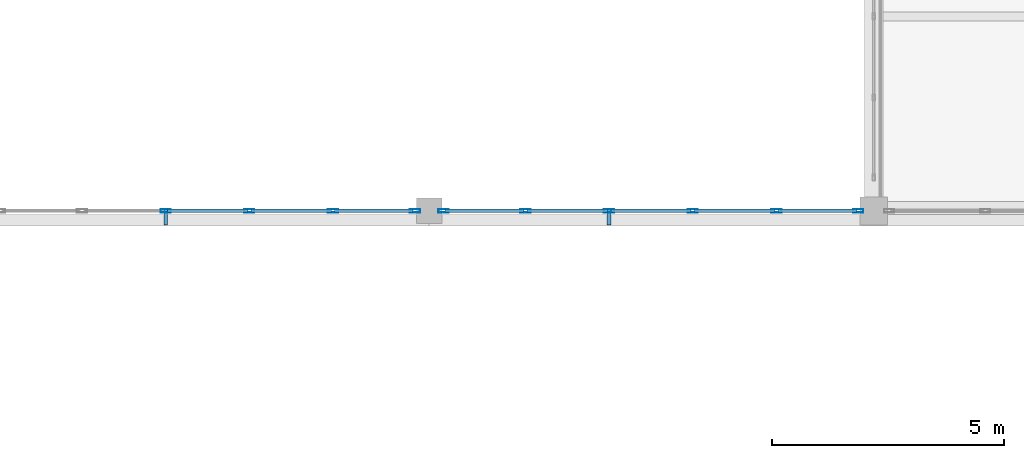
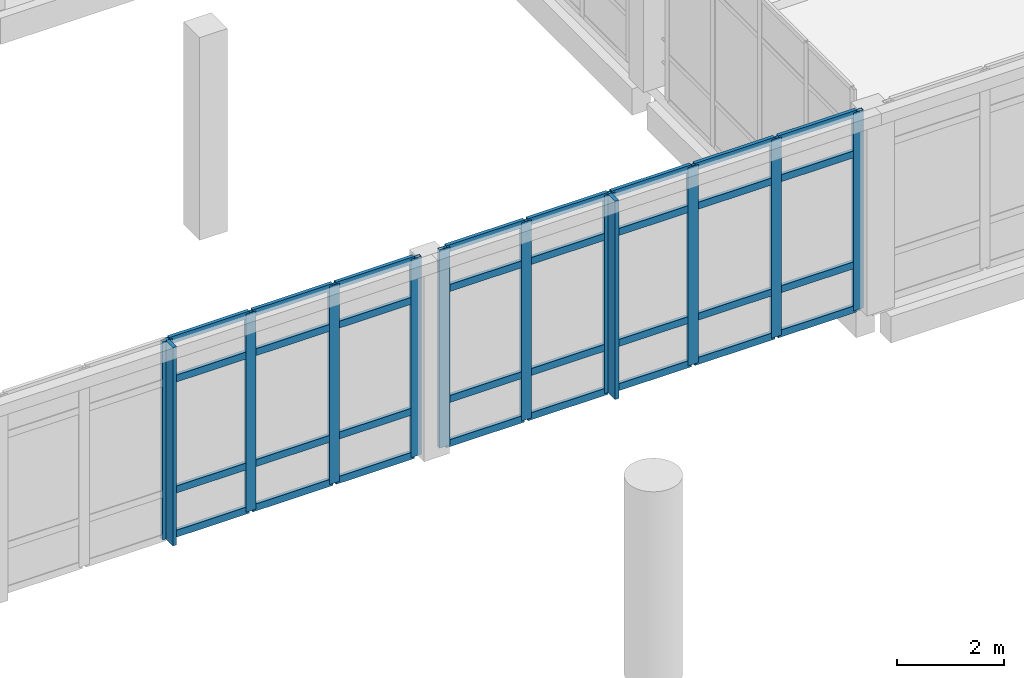
# One storey, part 27 of 88: 44 members, 2 elements without a shape of their own.
"""IFC4 building model written with IfcOpenShell, lengths in metres."""

import ifcopenshell
import ifcopenshell.guid

model = None  # the IFC model being written
_history = None  # IfcOwnerHistory: only IFC2X3 demands one
_inside = {}  # id of a spatial element -> (the spatial element, [elements in it])
_under = {}  # id of a project, library or spatial element -> (it, [spatial elements below it])
_declared = {}  # id of a project -> (the project, [libraries it declares])
_typed = {}  # id of a type object -> (the type object, [elements of that type])
_made_of = {}  # id of a material, layer set ... -> (it, [elements and type objects made of it])


def new_model(schema):
    """Start an empty IFC model of exactly this schema.

    Asked for "IFC4X3", IfcOpenShell would pick the latest addendum, in which some entities
    have other attributes; the version numbers below select the first issue.
    IFC2X3 requires an IfcOwnerHistory on every rooted entity: one is made here for all.
    """
    global model, _history
    if schema == "IFC4X3":
        model = ifcopenshell.file(schema_version=(4, 3, 0, 0))
    else:
        model = ifcopenshell.file(schema=schema)
    _inside.clear()
    _under.clear()
    _declared.clear()
    _typed.clear()
    _made_of.clear()
    _history = None
    if model.schema == "IFC2X3":
        org = make("IfcOrganization", Name="unknown")
        user = make(
            "IfcPersonAndOrganization",
            ThePerson=make("IfcPerson", FamilyName="unknown"),
            TheOrganization=org,
        )
        app = make(
            "IfcApplication",
            ApplicationDeveloper=org,
            Version="unknown",
            ApplicationFullName="unknown",
            ApplicationIdentifier="unknown",
        )
        _history = make(
            "IfcOwnerHistory",
            OwningUser=user,
            OwningApplication=app,
            ChangeAction="ADDED",
            CreationDate=0,
        )
    return model


def make(cls, **values):
    """One entity of the class cls with the attributes given. An attribute that is None is left unset."""
    return model.create_entity(
        cls, **{name: value for name, value in values.items() if value is not None}
    )


def rooted(cls, **values):
    """An entity with a GlobalId (a new one), such as an element, a storey or a relation."""
    return make(cls, GlobalId=ifcopenshell.guid.new(), OwnerHistory=_history, **values)


def si_unit(unit_type, name, prefix=None):
    """IfcSIUnit, for example si_unit("LENGTHUNIT", "METRE", prefix="MILLI")."""
    return make("IfcSIUnit", UnitType=unit_type, Prefix=prefix, Name=name)


def assignment(units):
    """IfcUnitAssignment: the units of a project."""
    return None if units is None else make("IfcUnitAssignment", Units=units)


def point(xyz):
    """IfcCartesianPoint."""
    return None if xyz is None else make("IfcCartesianPoint", Coordinates=xyz)


def direction(xyz):
    """IfcDirection."""
    return None if xyz is None else make("IfcDirection", DirectionRatios=xyz)


def frame(location, z_axis=None, x_axis=None):
    """IfcAxis2Placement3D, a coordinate frame: its origin and axes. An axis left out is left unset."""
    return make(
        "IfcAxis2Placement3D",
        Location=point(location),
        Axis=direction(z_axis),
        RefDirection=direction(x_axis),
    )


def frame_2d(location, x_axis=None):
    """IfcAxis2Placement2D, a coordinate frame in the plane: its origin and x axis."""
    return make(
        "IfcAxis2Placement2D", Location=point(location), RefDirection=direction(x_axis)
    )


def origin():
    """The frame at (0, 0, 0) with its axes left unset."""
    return frame((0.0, 0.0, 0.0))


def origin_2d():
    """The frame at (0, 0) in the plane with its x axis left unset."""
    return frame_2d((0.0, 0.0))


def place(relative_to, where):
    """IfcLocalPlacement: puts the frame where relative to a parent placement (None: the world)."""
    return make(
        "IfcLocalPlacement", PlacementRelTo=relative_to, RelativePlacement=where
    )


def context(
    kind, dimensions, precision=None, world=None, true_north=None, identifier=None
):
    """IfcGeometricRepresentationContext, for example the 3D "Model" context."""
    return make(
        "IfcGeometricRepresentationContext",
        ContextIdentifier=identifier,
        ContextType=kind,
        CoordinateSpaceDimension=dimensions,
        Precision=precision,
        WorldCoordinateSystem=world,
        TrueNorth=true_north,
    )


def subcontext(parent, identifier, kind, view, scale=None):
    """IfcGeometricRepresentationSubContext, for example "Body" below "Model"."""
    return make(
        "IfcGeometricRepresentationSubContext",
        ContextIdentifier=identifier,
        ContextType=kind,
        ParentContext=parent,
        TargetScale=scale,
        TargetView=view,
    )


def project(units=None, contexts=None):
    """IfcProject with its units and contexts."""
    return rooted(
        "IfcProject",
        Name="project",
        RepresentationContexts=contexts,
        UnitsInContext=assignment(units),
    )


def spatial(cls, under=None, at=None, **own):
    """A site, building, storey or space (cls), placed at a placement, below another one or the project."""
    s = rooted(cls, ObjectPlacement=at, **own)
    if under is not None:
        _under.setdefault(under.id(), (under, []))[1].append(s)
    return s


def profile(cls, at=None, kind="AREA", **sizes):
    """A parametric profile (cls). Its sizes go by their IFC names, for example OverallWidth=200.0."""
    return make(cls, ProfileType=kind, Position=at, **sizes)


def rectangle(**sizes):
    """IfcRectangleProfileDef."""
    return profile("IfcRectangleProfileDef", **sizes)


def hollow_rectangle(**sizes):
    """IfcRectangleHollowProfileDef."""
    return profile("IfcRectangleHollowProfileDef", **sizes)


def extrude(swept, where, along, depth):
    """IfcExtrudedAreaSolid: the profile swept, set in the frame where, extruded along a direction by depth."""
    return make(
        "IfcExtrudedAreaSolid",
        SweptArea=swept,
        Position=where,
        ExtrudedDirection=direction(along),
        Depth=depth,
    )


def shape(context_of_items, identifier, shape_type, items):
    """IfcShapeRepresentation: the items that make up one representation, for example the "Body"."""
    return make(
        "IfcShapeRepresentation",
        ContextOfItems=context_of_items,
        RepresentationIdentifier=identifier,
        RepresentationType=shape_type,
        Items=items,
    )


def material(Name=None, Category=None):
    """IfcMaterial."""
    return make("IfcMaterial", Name=Name, Category=Category)


def layer(
    of_material, thickness, ventilated=None, Name=None, Category=None, Priority=None
):
    """IfcMaterialLayer: one layer of a wall or slab, of a material (None: an air gap)."""
    return make(
        "IfcMaterialLayer",
        Material=of_material,
        LayerThickness=thickness,
        IsVentilated=ventilated,
        Name=Name,
        Category=Category,
        Priority=Priority,
    )


def layer_set(layers, Name=None):
    """IfcMaterialLayerSet."""
    return make("IfcMaterialLayerSet", MaterialLayers=layers, LayerSetName=Name)


def material_profile(
    of_material, cross_section, Name=None, Category=None, Priority=None
):
    """IfcMaterialProfile: a cross section and its material."""
    return make(
        "IfcMaterialProfile",
        Name=Name,
        Material=of_material,
        Profile=cross_section,
        Priority=Priority,
        Category=Category,
    )


def profile_set(profiles, Name=None, composite=None):
    """IfcMaterialProfileSet."""
    return make(
        "IfcMaterialProfileSet",
        Name=Name,
        MaterialProfiles=profiles,
        CompositeProfile=composite,
    )


def made_of(thing, what):
    """Note that an element or type object is made of a material, layer set ...; save() writes the relation."""
    if what is not None:
        _made_of.setdefault(what.id(), (what, []))[1].append(thing)
    return thing


def type_object(cls, material=None, **own):
    """A type object (cls), such as IfcWallType, which elements share."""
    return made_of(rooted(cls, **own), material)


def element(
    cls,
    number,
    at=None,
    inside=None,
    cuts=None,
    type_object=None,
    material=None,
    context=None,
    identifier="Body",
    shape_type=None,
    held_by="IfcProductDefinitionShape",
    body=None,
    shapes=None,
    **own,
):
    """One element of the class cls, such as IfcWall. Its Tag is "e" and its number.

    at: its placement. inside: the storey or other place that contains it. cuts: it is an
    opening in that element (IfcRelVoidsElement). A single representation is given by context,
    identifier, shape_type and body (its items); several are given by shapes. held_by: the class
    of the entity that holds the representations. save() writes the other relations.
    """
    e = rooted(cls, Tag="e%d" % number, ObjectPlacement=at, **own)
    if body is not None:
        shapes = [shape(context, identifier, shape_type, body)]
    if shapes is not None:
        e.Representation = make(held_by, Representations=shapes)
    if inside is not None:
        _inside.setdefault(inside.id(), (inside, []))[1].append(e)
    if cuts is not None:
        rooted(
            "IfcRelVoidsElement", RelatingBuildingElement=cuts, RelatedOpeningElement=e
        )
    if type_object is not None:
        _typed.setdefault(type_object.id(), (type_object, []))[1].append(e)
    return made_of(e, material)


def aggregate(whole, parts):
    """IfcRelAggregates: a whole, such as a stair, and the parts it consists of."""
    return rooted("IfcRelAggregates", RelatingObject=whole, RelatedObjects=parts)


def save(model, path):
    """Write the relations noted so far, then the file.

    IfcRelAggregates (storeys below a building ...), IfcRelContainedInSpatialStructure (elements
    in a storey), IfcRelDefinesByType, IfcRelAssociatesMaterial and IfcRelDeclares: one each for
    every whole, place, type object, material and project.
    """
    for whole, parts in _under.values():
        aggregate(whole, parts)
    for where, things in _inside.values():
        rooted(
            "IfcRelContainedInSpatialStructure",
            RelatedElements=things,
            RelatingStructure=where,
        )
    for kind, things in _typed.values():
        rooted("IfcRelDefinesByType", RelatedObjects=things, RelatingType=kind)
    for what, things in _made_of.values():
        rooted("IfcRelAssociatesMaterial", RelatedObjects=things, RelatingMaterial=what)
    for by, libraries in _declared.values():
        rooted("IfcRelDeclares", RelatingContext=by, RelatedDefinitions=libraries)
    model.write(path)


model = new_model("IFC4")

# Units and contexts
model_context = context("Model", 3, precision=1e-05, world=origin(), true_north=direction((0.0, 1.0)))
body_context = subcontext(model_context, "Body", "Model", "MODEL_VIEW")
ifc_project = project(units=[si_unit("LENGTHUNIT", "METRE"), si_unit("AREAUNIT", "SQUARE_METRE"), si_unit("VOLUMEUNIT", "CUBIC_METRE"), si_unit("PLANEANGLEUNIT", "RADIAN"), si_unit("MASSUNIT", "GRAM", prefix="KILO")], contexts=[model_context])

# Site, building, storey
site_placement = place(None, origin())
site = spatial("IfcSite", under=ifc_project, at=site_placement, CompositionType="ELEMENT")
building_placement = place(site_placement, origin())
building = spatial("IfcBuilding", under=site, at=building_placement, Name="Lornevale Opera House", CompositionType="ELEMENT")
storey_placement = place(building_placement, frame((0.0, 0.0, 10.199951171875)))
storey = spatial("IfcBuildingStorey", under=building, at=storey_placement, Name="L03", CompositionType="ELEMENT", Elevation=10.199951171875)

# Curtain wall, members
ifc_material_1 = material(Name="Anodized Oxide-Green Aluminium Framing", Category="aluminium")
ifc_layer = layer(ifc_material_1, 0.219970703125)
ifc_layer_set = layer_set([ifc_layer], Name="Anodized Oxide-Green Aluminium Framing")
curtain_wall_type = type_object("IfcCurtainWallType", Name="Winter-Garden Curtain Wall M1900", PredefinedType="NOTDEFINED", material=ifc_layer_set)
curtain_wall_1_placement = place(storey_placement, origin())
curtain_wall_1 = element("IfcCurtainWall", 1, at=curtain_wall_1_placement, inside=storey, type_object=curtain_wall_type, Name="Winter-Garden Curtain Wall M1900 CW-137", PredefinedType="NOTDEFINED")
ifc_material_profile_1 = material_profile(ifc_material_1, hollow_rectangle(XDim=0.074951171875, YDim=0.219970703125, WallThickness=0.0048828125, at=origin_2d()), Name="ALU75x220x5")
ifc_profile_set_1 = profile_set([ifc_material_profile_1], Name="Anodized Oxide-Green Aluminium Framing")
member_type_1 = type_object("IfcMemberType", Name="Curtain Wall Mullion 75x220", PredefinedType="MULLION", material=ifc_profile_set_1)
member_1_placement = place(storey_placement, frame((86.091552734375, 16.800048828125, 0.0), z_axis=(0.0, 0.0, 1.0), x_axis=(0.0, -1.0, 0.0)))
member_1 = element("IfcMember", 2, at=member_1_placement, type_object=member_type_1, Name="Curtain Wall Mullion 75x220 CW2833", PredefinedType="MULLION", context=body_context, shape_type="SweptSolid", body=[
    extrude(hollow_rectangle(XDim=0.074951171875, YDim=0.219970703125, WallThickness=0.0048828125, at=origin_2d()), origin(), (0.0, 0.0, 1.0), 4.5400390625),
])
member_2_placement = place(storey_placement, frame((84.322509765625, 16.800048828125, 0.0), z_axis=(0.0, 0.0, 1.0), x_axis=(0.0, -1.0, 0.0)))
member_2 = element("IfcMember", 3, at=member_2_placement, type_object=member_type_1, Name="Curtain Wall Mullion 75x220 CW2834", PredefinedType="MULLION", context=body_context, shape_type="SweptSolid", body=[
    extrude(hollow_rectangle(XDim=0.074951171875, YDim=0.219970703125, WallThickness=0.0048828125, at=origin_2d()), origin(), (0.0, 0.0, 1.0), 4.5400390625),
])
member_3_placement = place(storey_placement, frame((82.515869140625, 16.800048828125, 0.0), z_axis=(0.0, 0.0, 1.0), x_axis=(0.0, -1.0, 0.0)))
member_3 = element("IfcMember", 4, at=member_3_placement, type_object=member_type_1, Name="Curtain Wall Mullion 75x220 CW2835", PredefinedType="MULLION", context=body_context, shape_type="SweptSolid", body=[
    extrude(hollow_rectangle(XDim=0.074951171875, YDim=0.219970703125, WallThickness=0.0048828125, at=origin_2d()), origin(), (0.0, 0.0, 1.0), 4.5400390625),
])
member_4_placement = place(storey_placement, frame((80.709228515625, 16.800048828125, 0.0), z_axis=(0.0, 0.0, 1.0), x_axis=(0.0, -1.0, 0.0)))
member_4 = element("IfcMember", 5, at=member_4_placement, type_object=member_type_1, Name="Curtain Wall Mullion 75x220 CW2836", PredefinedType="MULLION", context=body_context, shape_type="SweptSolid", body=[
    extrude(hollow_rectangle(XDim=0.074951171875, YDim=0.219970703125, WallThickness=0.0048828125, at=origin_2d()), origin(), (0.0, 0.0, 1.0), 4.5400390625),
])

curtain_wall_2_placement = place(storey_placement, origin())
curtain_wall_2 = element("IfcCurtainWall", 6, at=curtain_wall_2_placement, inside=storey, type_object=curtain_wall_type, Name="Winter-Garden Curtain Wall M1900 CW-138", PredefinedType="NOTDEFINED")
member_5_placement = place(storey_placement, frame((95.66650390625, 16.800048828125, 0.0), z_axis=(0.0, 0.0, 1.0), x_axis=(0.0, -1.0, 0.0)))
member_5 = element("IfcMember", 7, at=member_5_placement, type_object=member_type_1, Name="Curtain Wall Mullion 75x220 CW2874", PredefinedType="MULLION", context=body_context, shape_type="SweptSolid", body=[
    extrude(hollow_rectangle(XDim=0.074951171875, YDim=0.219970703125, WallThickness=0.0048828125, at=origin_2d()), origin(), (0.0, 0.0, 1.0), 4.5400390625),
])
member_6_placement = place(storey_placement, frame((93.8974609375, 16.800048828125, 0.0), z_axis=(0.0, 0.0, 1.0), x_axis=(0.0, -1.0, 0.0)))
member_6 = element("IfcMember", 8, at=member_6_placement, type_object=member_type_1, Name="Curtain Wall Mullion 75x220 CW2875", PredefinedType="MULLION", context=body_context, shape_type="SweptSolid", body=[
    extrude(hollow_rectangle(XDim=0.074951171875, YDim=0.219970703125, WallThickness=0.0048828125, at=origin_2d()), origin(), (0.0, 0.0, 1.0), 4.5400390625),
])
member_7_placement = place(storey_placement, frame((92.0908203125, 16.800048828125, 0.0), z_axis=(0.0, 0.0, 1.0), x_axis=(0.0, -1.0, 0.0)))
member_7 = element("IfcMember", 9, at=member_7_placement, type_object=member_type_1, Name="Curtain Wall Mullion 75x220 CW2876", PredefinedType="MULLION", context=body_context, shape_type="SweptSolid", body=[
    extrude(hollow_rectangle(XDim=0.074951171875, YDim=0.219970703125, WallThickness=0.0048828125, at=origin_2d()), origin(), (0.0, 0.0, 1.0), 4.5400390625),
])
member_8_placement = place(storey_placement, frame((90.2841796875, 16.800048828125, 0.0), z_axis=(0.0, 0.0, 1.0), x_axis=(0.0, -1.0, 0.0)))
member_8 = element("IfcMember", 10, at=member_8_placement, type_object=member_type_1, Name="Curtain Wall Mullion 75x220 CW2877", PredefinedType="MULLION", context=body_context, shape_type="SweptSolid", body=[
    extrude(hollow_rectangle(XDim=0.074951171875, YDim=0.219970703125, WallThickness=0.0048828125, at=origin_2d()), origin(), (0.0, 0.0, 1.0), 4.5400390625),
])
member_9_placement = place(storey_placement, frame((88.4775390625, 16.800048828125, 0.0), z_axis=(0.0, 0.0, 1.0), x_axis=(0.0, -1.0, 0.0)))
member_9 = element("IfcMember", 11, at=member_9_placement, type_object=member_type_1, Name="Curtain Wall Mullion 75x220 CW2878", PredefinedType="MULLION", context=body_context, shape_type="SweptSolid", body=[
    extrude(hollow_rectangle(XDim=0.074951171875, YDim=0.219970703125, WallThickness=0.0048828125, at=origin_2d()), origin(), (0.0, 0.0, 1.0), 4.5400390625),
])
member_10_placement = place(storey_placement, frame((86.70849609375, 16.800048828125, 0.0), z_axis=(0.0, 0.0, 1.0), x_axis=(0.0, -1.0, 0.0)))
member_10 = element("IfcMember", 12, at=member_10_placement, type_object=member_type_1, Name="Curtain Wall Mullion 75x220 CW2879", PredefinedType="MULLION", context=body_context, shape_type="SweptSolid", body=[
    extrude(hollow_rectangle(XDim=0.074951171875, YDim=0.219970703125, WallThickness=0.0048828125, at=origin_2d()), origin(), (0.0, 0.0, 1.0), 4.5400390625),
])

# Member
ifc_material_profile_2 = material_profile(ifc_material_1, hollow_rectangle(XDim=0.074951171875, YDim=0.159912109375, WallThickness=0.0048828125, at=origin_2d()), Name="ALU75x160x5")
ifc_profile_set_2 = profile_set([ifc_material_profile_2], Name="Anodized Oxide-Green Aluminium Framing")
member_type_2 = type_object("IfcMemberType", Name="Curtain Wall Transom 75x160", PredefinedType="USERDEFINED", material=ifc_profile_set_2)
member_11_placement = place(storey_placement, frame((86.053955078125, 16.800048828125, 0.03759765625), z_axis=(-1.0, 0.0, 0.0), x_axis=(0.0, -1.0, 0.0)))
member_11 = element("IfcMember", 13, at=member_11_placement, type_object=member_type_2, Name="Curtain Wall Transom 75x160 CW2839", ObjectType="TRANSOM", PredefinedType="USERDEFINED", context=body_context, shape_type="SweptSolid", body=[
    extrude(hollow_rectangle(XDim=0.074951171875, YDim=0.159912109375, WallThickness=0.0048828125, at=origin_2d()), origin(), (0.0, 0.0, 1.0), 1.694091796875),
])

member_12_placement = place(storey_placement, frame((86.053955078125, 16.800048828125, 1.050048828125), z_axis=(-1.0, 0.0, 0.0), x_axis=(0.0, -1.0, 0.0)))
member_12 = element("IfcMember", 14, at=member_12_placement, type_object=member_type_2, Name="Curtain Wall Transom 75x160 CW2840", ObjectType="TRANSOM", PredefinedType="USERDEFINED", context=body_context, shape_type="SweptSolid", body=[
    extrude(hollow_rectangle(XDim=0.074951171875, YDim=0.159912109375, WallThickness=0.0048828125, at=origin_2d()), origin(), (0.0, 0.0, 1.0), 1.694091796875),
])

member_13_placement = place(storey_placement, frame((86.053955078125, 16.800048828125, 3.590087890625), z_axis=(-1.0, 0.0, 0.0), x_axis=(0.0, -1.0, 0.0)))
member_13 = element("IfcMember", 15, at=member_13_placement, type_object=member_type_2, Name="Curtain Wall Transom 75x160 CW2841", ObjectType="TRANSOM", PredefinedType="USERDEFINED", context=body_context, shape_type="SweptSolid", body=[
    extrude(hollow_rectangle(XDim=0.074951171875, YDim=0.159912109375, WallThickness=0.0048828125, at=origin_2d()), origin(), (0.0, 0.0, 1.0), 1.694091796875),
])

member_14_placement = place(storey_placement, frame((86.053955078125, 16.800048828125, 4.50244140625), z_axis=(-1.0, 0.0, 0.0), x_axis=(0.0, -1.0, 0.0)))
member_14 = element("IfcMember", 16, at=member_14_placement, type_object=member_type_2, Name="Curtain Wall Transom 75x160 CW2842", ObjectType="TRANSOM", PredefinedType="USERDEFINED", context=body_context, shape_type="SweptSolid", body=[
    extrude(hollow_rectangle(XDim=0.074951171875, YDim=0.159912109375, WallThickness=0.0048828125, at=origin_2d()), origin(), (0.0, 0.0, 1.0), 1.694091796875),
])

member_15_placement = place(storey_placement, frame((84.284912109375, 16.800048828125, 0.03759765625), z_axis=(-1.0, 0.0, 0.0), x_axis=(0.0, -1.0, 0.0)))
member_15 = element("IfcMember", 17, at=member_15_placement, type_object=member_type_2, Name="Curtain Wall Transom 75x160 CW2846", ObjectType="TRANSOM", PredefinedType="USERDEFINED", context=body_context, shape_type="SweptSolid", body=[
    extrude(hollow_rectangle(XDim=0.074951171875, YDim=0.159912109375, WallThickness=0.0048828125, at=origin_2d()), origin(), (0.0, 0.0, 1.0), 1.731689453125),
])

member_16_placement = place(storey_placement, frame((84.284912109375, 16.800048828125, 1.050048828125), z_axis=(-1.0, 0.0, 0.0), x_axis=(0.0, -1.0, 0.0)))
member_16 = element("IfcMember", 18, at=member_16_placement, type_object=member_type_2, Name="Curtain Wall Transom 75x160 CW2847", ObjectType="TRANSOM", PredefinedType="USERDEFINED", context=body_context, shape_type="SweptSolid", body=[
    extrude(hollow_rectangle(XDim=0.074951171875, YDim=0.159912109375, WallThickness=0.0048828125, at=origin_2d()), origin(), (0.0, 0.0, 1.0), 1.731689453125),
])

member_17_placement = place(storey_placement, frame((84.284912109375, 16.800048828125, 3.590087890625), z_axis=(-1.0, 0.0, 0.0), x_axis=(0.0, -1.0, 0.0)))
member_17 = element("IfcMember", 19, at=member_17_placement, type_object=member_type_2, Name="Curtain Wall Transom 75x160 CW2848", ObjectType="TRANSOM", PredefinedType="USERDEFINED", context=body_context, shape_type="SweptSolid", body=[
    extrude(hollow_rectangle(XDim=0.074951171875, YDim=0.159912109375, WallThickness=0.0048828125, at=origin_2d()), origin(), (0.0, 0.0, 1.0), 1.731689453125),
])

member_18_placement = place(storey_placement, frame((84.284912109375, 16.800048828125, 4.50244140625), z_axis=(-1.0, 0.0, 0.0), x_axis=(0.0, -1.0, 0.0)))
member_18 = element("IfcMember", 20, at=member_18_placement, type_object=member_type_2, Name="Curtain Wall Transom 75x160 CW2849", ObjectType="TRANSOM", PredefinedType="USERDEFINED", context=body_context, shape_type="SweptSolid", body=[
    extrude(hollow_rectangle(XDim=0.074951171875, YDim=0.159912109375, WallThickness=0.0048828125, at=origin_2d()), origin(), (0.0, 0.0, 1.0), 1.731689453125),
])

member_19_placement = place(storey_placement, frame((82.478271484375, 16.800048828125, 0.03759765625), z_axis=(-1.0, 0.0, 0.0), x_axis=(0.0, -1.0, 0.0)))
member_19 = element("IfcMember", 21, at=member_19_placement, type_object=member_type_2, Name="Curtain Wall Transom 75x160 CW2853", ObjectType="TRANSOM", PredefinedType="USERDEFINED", context=body_context, shape_type="SweptSolid", body=[
    extrude(hollow_rectangle(XDim=0.074951171875, YDim=0.159912109375, WallThickness=0.0048828125, at=origin_2d()), origin(), (0.0, 0.0, 1.0), 1.731689453125),
])

member_20_placement = place(storey_placement, frame((82.478271484375, 16.800048828125, 1.050048828125), z_axis=(-1.0, 0.0, 0.0), x_axis=(0.0, -1.0, 0.0)))
member_20 = element("IfcMember", 22, at=member_20_placement, type_object=member_type_2, Name="Curtain Wall Transom 75x160 CW2854", ObjectType="TRANSOM", PredefinedType="USERDEFINED", context=body_context, shape_type="SweptSolid", body=[
    extrude(hollow_rectangle(XDim=0.074951171875, YDim=0.159912109375, WallThickness=0.0048828125, at=origin_2d()), origin(), (0.0, 0.0, 1.0), 1.731689453125),
])

member_21_placement = place(storey_placement, frame((82.478271484375, 16.800048828125, 3.590087890625), z_axis=(-1.0, 0.0, 0.0), x_axis=(0.0, -1.0, 0.0)))
member_21 = element("IfcMember", 23, at=member_21_placement, type_object=member_type_2, Name="Curtain Wall Transom 75x160 CW2855", ObjectType="TRANSOM", PredefinedType="USERDEFINED", context=body_context, shape_type="SweptSolid", body=[
    extrude(hollow_rectangle(XDim=0.074951171875, YDim=0.159912109375, WallThickness=0.0048828125, at=origin_2d()), origin(), (0.0, 0.0, 1.0), 1.731689453125),
])

member_22_placement = place(storey_placement, frame((82.478271484375, 16.800048828125, 4.50244140625), z_axis=(-1.0, 0.0, 0.0), x_axis=(0.0, -1.0, 0.0)))
member_22 = element("IfcMember", 24, at=member_22_placement, type_object=member_type_2, Name="Curtain Wall Transom 75x160 CW2856", ObjectType="TRANSOM", PredefinedType="USERDEFINED", context=body_context, shape_type="SweptSolid", body=[
    extrude(hollow_rectangle(XDim=0.074951171875, YDim=0.159912109375, WallThickness=0.0048828125, at=origin_2d()), origin(), (0.0, 0.0, 1.0), 1.731689453125),
])

member_23_placement = place(storey_placement, frame((95.62890625, 16.800048828125, 0.03759765625), z_axis=(-1.0, 0.0, 0.0), x_axis=(0.0, -1.0, 0.0)))
member_23 = element("IfcMember", 25, at=member_23_placement, type_object=member_type_2, Name="Curtain Wall Transom 75x160 CW2880", ObjectType="TRANSOM", PredefinedType="USERDEFINED", context=body_context, shape_type="SweptSolid", body=[
    extrude(hollow_rectangle(XDim=0.074951171875, YDim=0.159912109375, WallThickness=0.0048828125, at=origin_2d()), origin(), (0.0, 0.0, 1.0), 1.694091796875),
])

member_24_placement = place(storey_placement, frame((95.62890625, 16.800048828125, 1.050048828125), z_axis=(-1.0, 0.0, 0.0), x_axis=(0.0, -1.0, 0.0)))
member_24 = element("IfcMember", 26, at=member_24_placement, type_object=member_type_2, Name="Curtain Wall Transom 75x160 CW2881", ObjectType="TRANSOM", PredefinedType="USERDEFINED", context=body_context, shape_type="SweptSolid", body=[
    extrude(hollow_rectangle(XDim=0.074951171875, YDim=0.159912109375, WallThickness=0.0048828125, at=origin_2d()), origin(), (0.0, 0.0, 1.0), 1.694091796875),
])

member_25_placement = place(storey_placement, frame((95.62890625, 16.800048828125, 3.590087890625), z_axis=(-1.0, 0.0, 0.0), x_axis=(0.0, -1.0, 0.0)))
member_25 = element("IfcMember", 27, at=member_25_placement, type_object=member_type_2, Name="Curtain Wall Transom 75x160 CW2882", ObjectType="TRANSOM", PredefinedType="USERDEFINED", context=body_context, shape_type="SweptSolid", body=[
    extrude(hollow_rectangle(XDim=0.074951171875, YDim=0.159912109375, WallThickness=0.0048828125, at=origin_2d()), origin(), (0.0, 0.0, 1.0), 1.694091796875),
])

member_26_placement = place(storey_placement, frame((95.62890625, 16.800048828125, 4.50244140625), z_axis=(-1.0, 0.0, 0.0), x_axis=(0.0, -1.0, 0.0)))
member_26 = element("IfcMember", 28, at=member_26_placement, type_object=member_type_2, Name="Curtain Wall Transom 75x160 CW2883", ObjectType="TRANSOM", PredefinedType="USERDEFINED", context=body_context, shape_type="SweptSolid", body=[
    extrude(hollow_rectangle(XDim=0.074951171875, YDim=0.159912109375, WallThickness=0.0048828125, at=origin_2d()), origin(), (0.0, 0.0, 1.0), 1.694091796875),
])

member_27_placement = place(storey_placement, frame((93.85986328125, 16.800048828125, 0.03759765625), z_axis=(-1.0, 0.0, 0.0), x_axis=(0.0, -1.0, 0.0)))
member_27 = element("IfcMember", 29, at=member_27_placement, type_object=member_type_2, Name="Curtain Wall Transom 75x160 CW2887", ObjectType="TRANSOM", PredefinedType="USERDEFINED", context=body_context, shape_type="SweptSolid", body=[
    extrude(hollow_rectangle(XDim=0.074951171875, YDim=0.159912109375, WallThickness=0.0048828125, at=origin_2d()), origin(), (0.0, 0.0, 1.0), 1.7314453125),
])

member_28_placement = place(storey_placement, frame((93.85986328125, 16.800048828125, 1.050048828125), z_axis=(-1.0, 0.0, 0.0), x_axis=(0.0, -1.0, 0.0)))
member_28 = element("IfcMember", 30, at=member_28_placement, type_object=member_type_2, Name="Curtain Wall Transom 75x160 CW2888", ObjectType="TRANSOM", PredefinedType="USERDEFINED", context=body_context, shape_type="SweptSolid", body=[
    extrude(hollow_rectangle(XDim=0.074951171875, YDim=0.159912109375, WallThickness=0.0048828125, at=origin_2d()), origin(), (0.0, 0.0, 1.0), 1.7314453125),
])

member_29_placement = place(storey_placement, frame((93.85986328125, 16.800048828125, 3.590087890625), z_axis=(-1.0, 0.0, 0.0), x_axis=(0.0, -1.0, 0.0)))
member_29 = element("IfcMember", 31, at=member_29_placement, type_object=member_type_2, Name="Curtain Wall Transom 75x160 CW2889", ObjectType="TRANSOM", PredefinedType="USERDEFINED", context=body_context, shape_type="SweptSolid", body=[
    extrude(hollow_rectangle(XDim=0.074951171875, YDim=0.159912109375, WallThickness=0.0048828125, at=origin_2d()), origin(), (0.0, 0.0, 1.0), 1.7314453125),
])

member_30_placement = place(storey_placement, frame((93.85986328125, 16.800048828125, 4.50244140625), z_axis=(-1.0, 0.0, 0.0), x_axis=(0.0, -1.0, 0.0)))
member_30 = element("IfcMember", 32, at=member_30_placement, type_object=member_type_2, Name="Curtain Wall Transom 75x160 CW2890", ObjectType="TRANSOM", PredefinedType="USERDEFINED", context=body_context, shape_type="SweptSolid", body=[
    extrude(hollow_rectangle(XDim=0.074951171875, YDim=0.159912109375, WallThickness=0.0048828125, at=origin_2d()), origin(), (0.0, 0.0, 1.0), 1.7314453125),
])

member_31_placement = place(storey_placement, frame((92.05322265625, 16.800048828125, 0.03759765625), z_axis=(-1.0, 0.0, 0.0), x_axis=(0.0, -1.0, 0.0)))
member_31 = element("IfcMember", 33, at=member_31_placement, type_object=member_type_2, Name="Curtain Wall Transom 75x160 CW2894", ObjectType="TRANSOM", PredefinedType="USERDEFINED", context=body_context, shape_type="SweptSolid", body=[
    extrude(hollow_rectangle(XDim=0.074951171875, YDim=0.159912109375, WallThickness=0.0048828125, at=origin_2d()), origin(), (0.0, 0.0, 1.0), 1.7314453125),
])

member_32_placement = place(storey_placement, frame((92.05322265625, 16.800048828125, 1.050048828125), z_axis=(-1.0, 0.0, 0.0), x_axis=(0.0, -1.0, 0.0)))
member_32 = element("IfcMember", 34, at=member_32_placement, type_object=member_type_2, Name="Curtain Wall Transom 75x160 CW2895", ObjectType="TRANSOM", PredefinedType="USERDEFINED", context=body_context, shape_type="SweptSolid", body=[
    extrude(hollow_rectangle(XDim=0.074951171875, YDim=0.159912109375, WallThickness=0.0048828125, at=origin_2d()), origin(), (0.0, 0.0, 1.0), 1.7314453125),
])

member_33_placement = place(storey_placement, frame((92.05322265625, 16.800048828125, 3.590087890625), z_axis=(-1.0, 0.0, 0.0), x_axis=(0.0, -1.0, 0.0)))
member_33 = element("IfcMember", 35, at=member_33_placement, type_object=member_type_2, Name="Curtain Wall Transom 75x160 CW2896", ObjectType="TRANSOM", PredefinedType="USERDEFINED", context=body_context, shape_type="SweptSolid", body=[
    extrude(hollow_rectangle(XDim=0.074951171875, YDim=0.159912109375, WallThickness=0.0048828125, at=origin_2d()), origin(), (0.0, 0.0, 1.0), 1.7314453125),
])

member_34_placement = place(storey_placement, frame((92.05322265625, 16.800048828125, 4.50244140625), z_axis=(-1.0, 0.0, 0.0), x_axis=(0.0, -1.0, 0.0)))
member_34 = element("IfcMember", 36, at=member_34_placement, type_object=member_type_2, Name="Curtain Wall Transom 75x160 CW2897", ObjectType="TRANSOM", PredefinedType="USERDEFINED", context=body_context, shape_type="SweptSolid", body=[
    extrude(hollow_rectangle(XDim=0.074951171875, YDim=0.159912109375, WallThickness=0.0048828125, at=origin_2d()), origin(), (0.0, 0.0, 1.0), 1.7314453125),
])

member_35_placement = place(storey_placement, frame((90.24658203125, 16.800048828125, 0.03759765625), z_axis=(-1.0, 0.0, 0.0), x_axis=(0.0, -1.0, 0.0)))
member_35 = element("IfcMember", 37, at=member_35_placement, type_object=member_type_2, Name="Curtain Wall Transom 75x160 CW2901", ObjectType="TRANSOM", PredefinedType="USERDEFINED", context=body_context, shape_type="SweptSolid", body=[
    extrude(hollow_rectangle(XDim=0.074951171875, YDim=0.159912109375, WallThickness=0.0048828125, at=origin_2d()), origin(), (0.0, 0.0, 1.0), 1.7314453125),
])

member_36_placement = place(storey_placement, frame((90.24658203125, 16.800048828125, 1.050048828125), z_axis=(-1.0, 0.0, 0.0), x_axis=(0.0, -1.0, 0.0)))
member_36 = element("IfcMember", 38, at=member_36_placement, type_object=member_type_2, Name="Curtain Wall Transom 75x160 CW2902", ObjectType="TRANSOM", PredefinedType="USERDEFINED", context=body_context, shape_type="SweptSolid", body=[
    extrude(hollow_rectangle(XDim=0.074951171875, YDim=0.159912109375, WallThickness=0.0048828125, at=origin_2d()), origin(), (0.0, 0.0, 1.0), 1.7314453125),
])

member_37_placement = place(storey_placement, frame((90.24658203125, 16.800048828125, 3.590087890625), z_axis=(-1.0, 0.0, 0.0), x_axis=(0.0, -1.0, 0.0)))
member_37 = element("IfcMember", 39, at=member_37_placement, type_object=member_type_2, Name="Curtain Wall Transom 75x160 CW2903", ObjectType="TRANSOM", PredefinedType="USERDEFINED", context=body_context, shape_type="SweptSolid", body=[
    extrude(hollow_rectangle(XDim=0.074951171875, YDim=0.159912109375, WallThickness=0.0048828125, at=origin_2d()), origin(), (0.0, 0.0, 1.0), 1.7314453125),
])

member_38_placement = place(storey_placement, frame((90.24658203125, 16.800048828125, 4.50244140625), z_axis=(-1.0, 0.0, 0.0), x_axis=(0.0, -1.0, 0.0)))
member_38 = element("IfcMember", 40, at=member_38_placement, type_object=member_type_2, Name="Curtain Wall Transom 75x160 CW2904", ObjectType="TRANSOM", PredefinedType="USERDEFINED", context=body_context, shape_type="SweptSolid", body=[
    extrude(hollow_rectangle(XDim=0.074951171875, YDim=0.159912109375, WallThickness=0.0048828125, at=origin_2d()), origin(), (0.0, 0.0, 1.0), 1.7314453125),
])

member_39_placement = place(storey_placement, frame((88.440185546875, 16.800048828125, 0.03759765625), z_axis=(-1.0, 0.0, 0.0), x_axis=(0.0, -1.0, 0.0)))
member_39 = element("IfcMember", 41, at=member_39_placement, type_object=member_type_2, Name="Curtain Wall Transom 75x160 CW2908", ObjectType="TRANSOM", PredefinedType="USERDEFINED", context=body_context, shape_type="SweptSolid", body=[
    extrude(hollow_rectangle(XDim=0.074951171875, YDim=0.159912109375, WallThickness=0.0048828125, at=origin_2d()), origin(), (0.0, 0.0, 1.0), 1.694091796875),
])

member_40_placement = place(storey_placement, frame((88.440185546875, 16.800048828125, 1.050048828125), z_axis=(-1.0, 0.0, 0.0), x_axis=(0.0, -1.0, 0.0)))
member_40 = element("IfcMember", 42, at=member_40_placement, type_object=member_type_2, Name="Curtain Wall Transom 75x160 CW2909", ObjectType="TRANSOM", PredefinedType="USERDEFINED", context=body_context, shape_type="SweptSolid", body=[
    extrude(hollow_rectangle(XDim=0.074951171875, YDim=0.159912109375, WallThickness=0.0048828125, at=origin_2d()), origin(), (0.0, 0.0, 1.0), 1.694091796875),
])

member_41_placement = place(storey_placement, frame((88.440185546875, 16.800048828125, 3.590087890625), z_axis=(-1.0, 0.0, 0.0), x_axis=(0.0, -1.0, 0.0)))
member_41 = element("IfcMember", 43, at=member_41_placement, type_object=member_type_2, Name="Curtain Wall Transom 75x160 CW2910", ObjectType="TRANSOM", PredefinedType="USERDEFINED", context=body_context, shape_type="SweptSolid", body=[
    extrude(hollow_rectangle(XDim=0.074951171875, YDim=0.159912109375, WallThickness=0.0048828125, at=origin_2d()), origin(), (0.0, 0.0, 1.0), 1.694091796875),
])

member_42_placement = place(storey_placement, frame((88.440185546875, 16.800048828125, 4.50244140625), z_axis=(-1.0, 0.0, 0.0), x_axis=(0.0, -1.0, 0.0)))
member_42 = element("IfcMember", 44, at=member_42_placement, type_object=member_type_2, Name="Curtain Wall Transom 75x160 CW2911", ObjectType="TRANSOM", PredefinedType="USERDEFINED", context=body_context, shape_type="SweptSolid", body=[
    extrude(hollow_rectangle(XDim=0.074951171875, YDim=0.159912109375, WallThickness=0.0048828125, at=origin_2d()), origin(), (0.0, 0.0, 1.0), 1.694091796875),
])

ifc_material_2 = material(Name="Architectural Bronze Solar Louvre Alloy", Category="metal")
ifc_material_profile_3 = material_profile(ifc_material_2, rectangle(XDim=0.080078125, YDim=0.360107421875, at=origin_2d()), Name="FIN80x360")
ifc_profile_set_3 = profile_set([ifc_material_profile_3], Name="Architectural Bronze Solar Louvre Alloy")
member_type_3 = type_object("IfcMemberType", Name="Solar Shading Fin 80x360", PredefinedType="USERDEFINED", material=ifc_profile_set_3)
member_43_placement = place(storey_placement, frame((80.709228515625, 16.674072265625, 0.0), z_axis=(0.0, 0.0, 1.0), x_axis=(-1.0, 0.0, 0.0)))
member_43 = element("IfcMember", 45, at=member_43_placement, type_object=member_type_3, Name="Solar Shading Fin 80x360 FIN0056", ObjectType="SOLAR FIN", PredefinedType="USERDEFINED", context=body_context, shape_type="SweptSolid", body=[
    extrude(rectangle(XDim=0.080078125, YDim=0.360107421875, at=origin_2d()), origin(), (0.0, 0.0, 1.0), 4.5400390625),
])

aggregate(curtain_wall_1, [member_1, member_2, member_3, member_4, member_11, member_12, member_13, member_14, member_15, member_16, member_17, member_18, member_19, member_20, member_21, member_22, member_43])

member_44_placement = place(storey_placement, frame((90.2841796875, 16.674072265625, 0.0), z_axis=(0.0, 0.0, 1.0), x_axis=(-1.0, 0.0, 0.0)))
member_44 = element("IfcMember", 46, at=member_44_placement, type_object=member_type_3, Name="Solar Shading Fin 80x360 FIN0057", ObjectType="SOLAR FIN", PredefinedType="USERDEFINED", context=body_context, shape_type="SweptSolid", body=[
    extrude(rectangle(XDim=0.080078125, YDim=0.360107421875, at=origin_2d()), origin(), (0.0, 0.0, 1.0), 4.5400390625),
])

aggregate(curtain_wall_2, [member_5, member_6, member_7, member_8, member_9, member_10, member_23, member_24, member_25, member_26, member_27, member_28, member_29, member_30, member_31, member_32, member_33, member_34, member_35, member_36, member_37, member_38, member_39, member_40, member_41, member_42, member_44])

save(model, "model.ifc")
